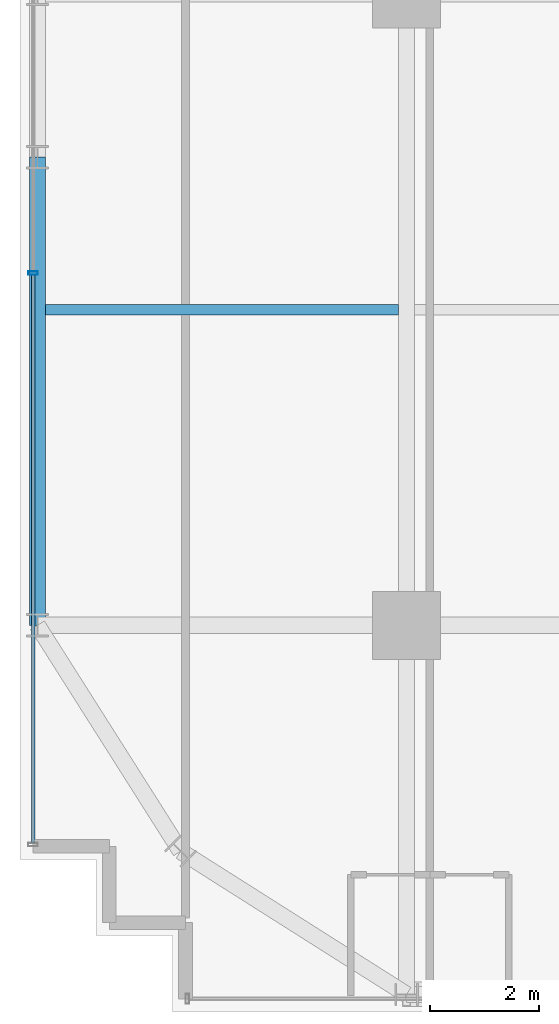
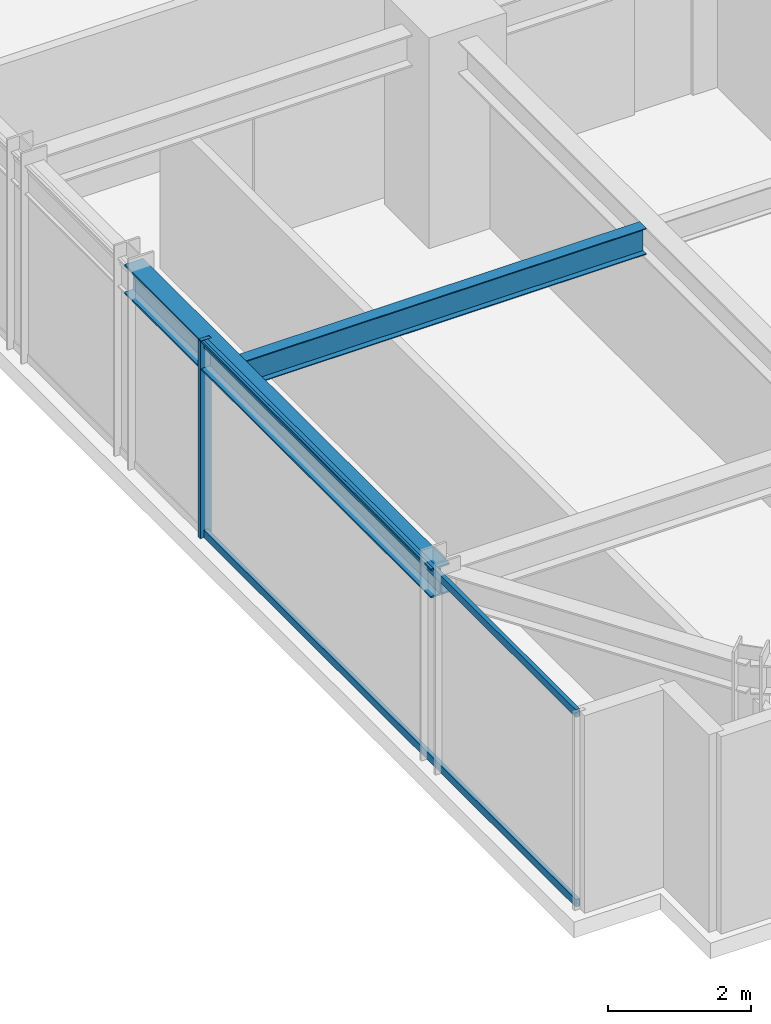
# One storey, part 4 of 34: 3 members, 2 beams, 1 element without a shape of its own.
"""IFC4 building model written with IfcOpenShell, lengths in metres."""

from ifc_helpers import new_model, si_unit, direction, frame, origin, origin_2d, place, context, subcontext, project, spatial, hollow_rectangle, i_section, extrude, source, transform, mapped, material, material_profile, profile_set, type_object, element, aggregate, save


model = new_model("IFC4")

# Units and contexts
model_context = context("Model", 3, precision=1e-05, world=origin(), true_north=direction((0.0, 1.0)))
body_context = subcontext(model_context, "Body", "Model", "MODEL_VIEW")
ifc_project = project(units=[si_unit("LENGTHUNIT", "METRE"), si_unit("AREAUNIT", "SQUARE_METRE"), si_unit("VOLUMEUNIT", "CUBIC_METRE"), si_unit("PLANEANGLEUNIT", "RADIAN"), si_unit("MASSUNIT", "GRAM", prefix="KILO")], contexts=[model_context])

# Site, building, storey
site_placement = place(None, origin())
site = spatial("IfcSite", under=ifc_project, at=site_placement, CompositionType="ELEMENT")
building_placement = place(site_placement, origin())
building = spatial("IfcBuilding", under=site, at=building_placement, Name="Nahalor Promenade Grand Hotel", CompositionType="ELEMENT")
storey_placement = place(building_placement, frame((0.0, 0.0, 99.25)))
storey = spatial("IfcBuildingStorey", under=building, at=storey_placement, Name="L24", CompositionType="ELEMENT", Elevation=99.25)

# Beams
ifc_material_1 = material(Name="Steel S355JR", Category="steel")
ifc_material_profile_1 = material_profile(ifc_material_1, i_section(OverallWidth=0.3, OverallDepth=0.5, WebThickness=0.0145, FlangeThickness=0.028, at=origin_2d()), Name="HEB 500")
ifc_profile_set_1 = profile_set([ifc_material_profile_1], Name="Steel S355JR")
beam_type_1 = type_object("IfcBeamType", Name="Beam-Spandrel-HEB500", PredefinedType="SPANDREL", material=ifc_profile_set_1)
shared_shape_1 = source(origin(), body_context, "Body", "SweptSolid", [
    extrude(i_section(OverallWidth=0.3, OverallDepth=0.5, WebThickness=0.0145, FlangeThickness=0.028, at=origin_2d()), origin(), (0.0, 0.0, 1.0), 8.60009765625),
])
beam_1_placement = place(storey_placement, frame((-23.780029296875, -17.0, 3.1298828125), z_axis=(0.0, 1.0, 0.0), x_axis=(-1.0, 0.0, 0.0)))
element("IfcBeam", 1, at=beam_1_placement, inside=storey, type_object=beam_type_1, Name="BM-L24-SP-W-0", PredefinedType="SPANDREL", context=body_context, shape_type="MappedRepresentation", body=[
    mapped(shared_shape_1, transform((0.0, 0.0, 0.0), scale=1.0)),
])
ifc_material_profile_2 = material_profile(ifc_material_1, i_section(OverallWidth=0.19, OverallDepth=0.45, WebThickness=0.0094, FlangeThickness=0.0146, at=origin_2d()), Name="IPE 450")
ifc_profile_set_2 = profile_set([ifc_material_profile_2], Name="Steel S355JR")
beam_type_2 = type_object("IfcBeamType", Name="Beam-Joist-IPE450", PredefinedType="JOIST", material=ifc_profile_set_2)
shared_shape_2 = source(origin(), body_context, "Body", "SweptSolid", [
    extrude(i_section(OverallWidth=0.19, OverallDepth=0.45, WebThickness=0.0094, FlangeThickness=0.0146, at=origin_2d()), origin(), (0.0, 0.0, 1.0), 6.47998046875),
])
beam_2_placement = place(storey_placement, frame((-23.6298828125, -11.199951171875, 3.155029296875), z_axis=(1.0, 0.0, 0.0), x_axis=(0.0, 1.0, 0.0)))
element("IfcBeam", 2, at=beam_2_placement, inside=storey, type_object=beam_type_2, Name="BM-L24-JSW-0-0", PredefinedType="JOIST", context=body_context, shape_type="MappedRepresentation", body=[
    mapped(shared_shape_2, transform((0.0, 0.0, 0.0), scale=1.0)),
])

# Curtain wall, members
ifc_material_2 = material(Name="Anodised Bronze Aluminium EN AW-6063 T6", Category="aluminium")
curtain_wall_type = type_object("IfcCurtainWallType", Name="CW2 Typical Hotel Flush Bronze Unitised Curtain Wall", PredefinedType="USERDEFINED", material=ifc_material_2)
curtain_wall_placement = place(storey_placement, origin())
curtain_wall = element("IfcCurtainWall", 3, at=curtain_wall_placement, inside=storey, type_object=curtain_wall_type, Name="L24 Curtain Wall CW-L24-W-1", ObjectType="UNITISED_CURTAIN_WALL", PredefinedType="USERDEFINED")
ifc_material_profile_3 = material_profile(ifc_material_2, hollow_rectangle(XDim=0.065, YDim=0.18, WallThickness=0.004, at=origin_2d()), Name="CWM 65x180x4")
ifc_profile_set_3 = profile_set([ifc_material_profile_3], Name="Anodised Bronze Aluminium EN AW-6063 T6")
member_type_1 = type_object("IfcMemberType", Name="CWM2 Typical Bronze Mullion 65x180", PredefinedType="MULLION", material=ifc_profile_set_3)
shared_shape_3 = source(origin(), body_context, "Body", "SweptSolid", [
    extrude(hollow_rectangle(XDim=0.065, YDim=0.18, WallThickness=0.004, at=origin_2d()), origin(), (0.0, 0.0, 1.0), 3.3798828125),
])
member_1_placement = place(storey_placement, frame((-23.860107421875, -10.530029296875, 0.0), z_axis=(0.0, 0.0, 1.0), x_axis=(0.0, 1.0, 0.0)))
member_1 = element("IfcMember", 4, at=member_1_placement, type_object=member_type_1, Name="CW-L24-W-1 Mullion 1", PredefinedType="MULLION", context=body_context, shape_type="MappedRepresentation", body=[
    mapped(shared_shape_3, transform((0.0, 0.0, 0.0), scale=1.0)),
])
ifc_material_profile_4 = material_profile(ifc_material_2, hollow_rectangle(XDim=0.065, YDim=0.13, WallThickness=0.004, at=origin_2d()), Name="CWT 65x130x4")
ifc_profile_set_4 = profile_set([ifc_material_profile_4], Name="Anodised Bronze Aluminium EN AW-6063 T6")
member_type_2 = type_object("IfcMemberType", Name="CWT2 Typical Bronze Transom 65x130", PredefinedType="USERDEFINED", material=ifc_profile_set_4)
shared_shape_4 = source(origin(), body_context, "Body", "SweptSolid", [
    extrude(hollow_rectangle(XDim=0.065, YDim=0.13, WallThickness=0.004, at=origin_2d()), origin(), (0.0, 0.0, 1.0), 10.4326171875),
])
member_2_placement = place(storey_placement, frame((-23.860107421875, -20.9951171875, 0.06494140625), z_axis=(0.0, 1.0, 0.0), x_axis=(-1.0, 0.0, 0.0)))
member_2 = element("IfcMember", 5, at=member_2_placement, type_object=member_type_2, Name="CW-L24-W-1 Transom 0-0", ObjectType="TRANSOM", PredefinedType="USERDEFINED", context=body_context, shape_type="MappedRepresentation", body=[
    mapped(shared_shape_4, transform((0.0, 0.0, 0.0), scale=1.0)),
])
member_3_placement = place(storey_placement, frame((-23.860107421875, -20.9951171875, 3.31494140625), z_axis=(0.0, 1.0, 0.0), x_axis=(-1.0, 0.0, 0.0)))
member_3 = element("IfcMember", 6, at=member_3_placement, type_object=member_type_2, Name="CW-L24-W-1 Transom 0-1", ObjectType="TRANSOM", PredefinedType="USERDEFINED", context=body_context, shape_type="MappedRepresentation", body=[
    mapped(shared_shape_4, transform((0.0, 0.0, 0.0), scale=1.0)),
])
aggregate(curtain_wall, [member_1, member_2, member_3])

save(model, "model.ifc")
